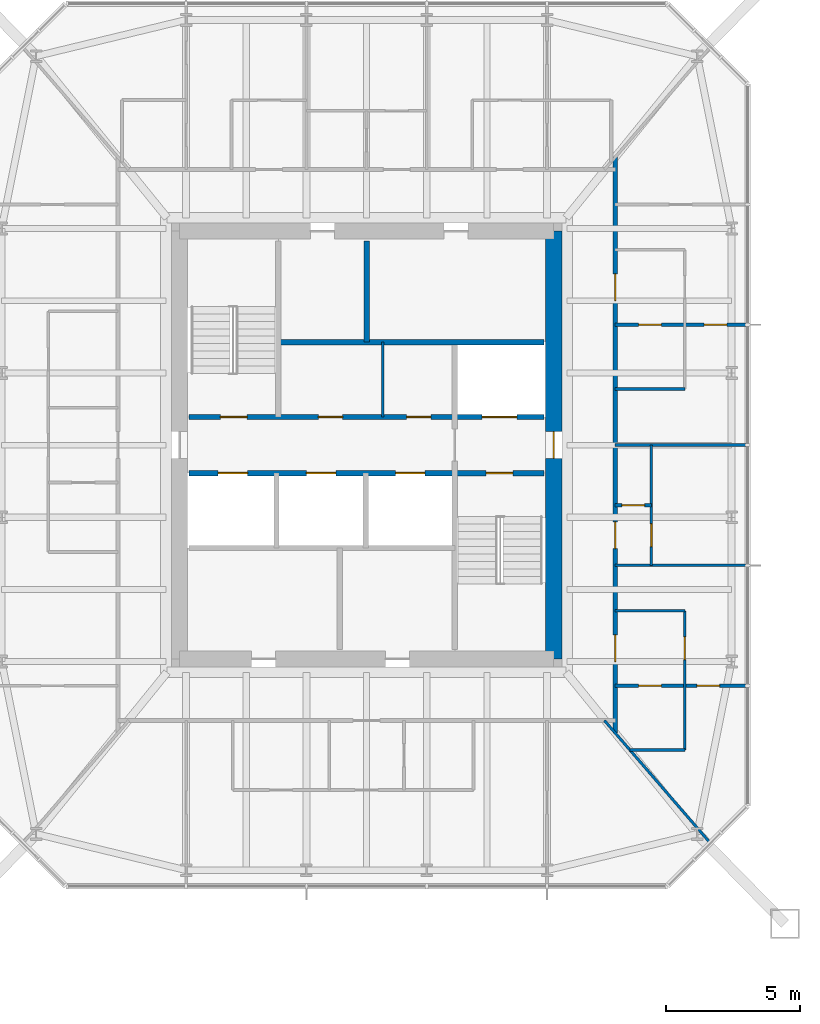
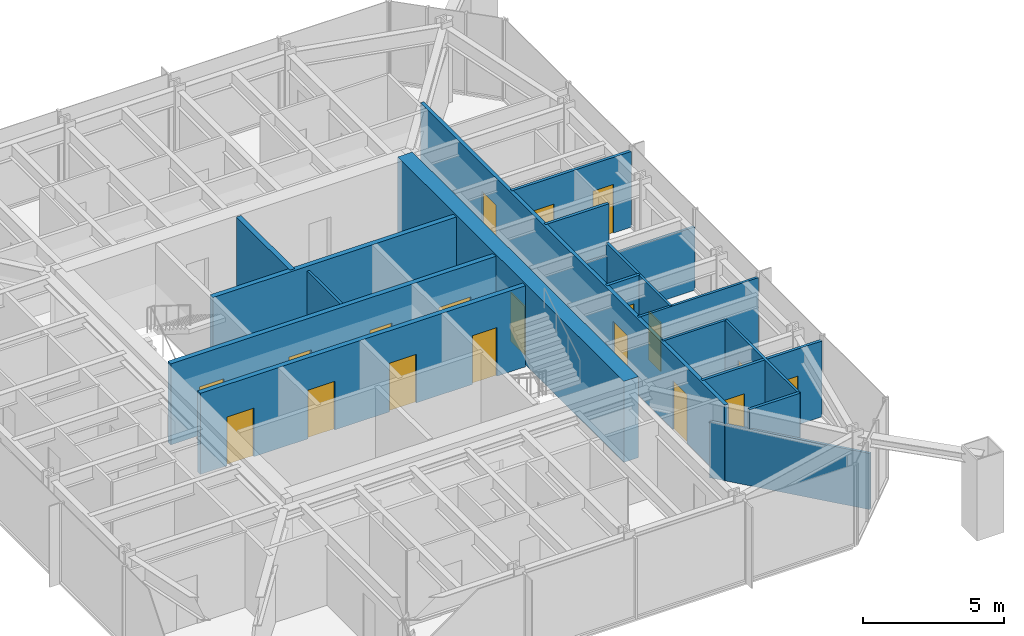
# One storey, part 20 of 27: 19 doors, 18 walls, 19 openings.
"""IFC4 building model written with IfcOpenShell, lengths in metres."""

from ifc_helpers import new_model, si_unit, direction, frame, frame_2d, origin, place, context, subcontext, project, spatial, rectangle, extrude, material, layer, layer_set, type_object, element, fill, save


model = new_model("IFC4")

# Units and contexts
model_context = context("Model", 3, precision=1e-05, world=origin(), true_north=direction((0.0, 1.0)))
body_context = subcontext(model_context, "Body", "Model", "MODEL_VIEW")
ifc_project = project(units=[si_unit("LENGTHUNIT", "METRE"), si_unit("AREAUNIT", "SQUARE_METRE"), si_unit("VOLUMEUNIT", "CUBIC_METRE"), si_unit("PLANEANGLEUNIT", "RADIAN"), si_unit("MASSUNIT", "GRAM", prefix="KILO")], contexts=[model_context])

# Site, building, storey
site_placement = place(None, origin())
site = spatial("IfcSite", under=ifc_project, at=site_placement, CompositionType="ELEMENT")
building_placement = place(site_placement, origin())
building = spatial("IfcBuilding", under=site, at=building_placement, Name="Iwan Alto Co-Living Towers", CompositionType="ELEMENT")
storey_placement = place(building_placement, frame((0.0, 0.0, 91.0)))
storey = spatial("IfcBuildingStorey", under=building, at=storey_placement, Name="L24", CompositionType="ELEMENT", Elevation=91.0)

# Wall, openings, doors
ifc_material_1 = material(Name="Gypsum board")
ifc_layer_1 = layer(ifc_material_1, 0.02490234375, Name="Board", Category="Finish")
ifc_material_2 = material(Name="Steel ASTM A1003 ST33H cold-formed studs", Category="steel")
ifc_layer_2 = layer(ifc_material_2, 0.10009765625, Name="Studs", Category="Framing")
ifc_layer_3 = layer(ifc_material_1, 0.02490234375, Name="Board", Category="Finish")
ifc_layer_set_1 = layer_set([ifc_layer_1, ifc_layer_2, ifc_layer_3], Name="CORRIDOR WALL 150")
wall_type_1 = type_object("IfcWallType", Name="CORRIDOR WALL 150", PredefinedType="PARTITIONING", material=ifc_layer_set_1)
wall_1_placement = place(storey_placement, frame((72.300048828125, -10.76806640625, 0.0), z_axis=(0.0, 0.0, 1.0), x_axis=(0.0, 1.0, 0.0)))
wall_1 = element("IfcWall", 1, at=wall_1_placement, inside=storey, type_object=wall_type_1, Name="Partition L24", PredefinedType="PARTITIONING", context=body_context, shape_type="SweptSolid", body=[
    extrude(rectangle(XDim=21.5361328125, YDim=0.14990234375, at=frame_2d((10.76806640625, 0.0))), origin(), (0.0, 0.0, 1.0), 3.27001953125),
])
opening_1_placement = place(wall_1_placement, frame((2.66796875, 0.0, 0.0)))
opening_1 = element("IfcOpeningElement", 2, at=opening_1_placement, cuts=wall_1, Name="Opening D3", PredefinedType="OPENING", context=body_context, shape_type="SweptSolid", body=[
    extrude(rectangle(XDim=1.0, YDim=2.10009765625, at=frame_2d((0.5, 1.050048828125))), frame((0.0, 0.0849609375, 0.0), z_axis=(0.0, -1.0, 0.0), x_axis=(1.0, 0.0, 0.0)), (0.0, 0.0, 1.0), 0.169921875),
])
opening_2_placement = place(wall_1_placement, frame((6.89306640625, 0.0, 0.0)))
opening_2 = element("IfcOpeningElement", 3, at=opening_2_placement, cuts=wall_1, Name="Opening D3", PredefinedType="OPENING", context=body_context, shape_type="SweptSolid", body=[
    extrude(rectangle(XDim=1.0, YDim=2.10009765625, at=frame_2d((0.5, 1.050048828125))), frame((0.0, 0.0849609375, 0.0), z_axis=(0.0, -1.0, 0.0), x_axis=(1.0, 0.0, 0.0)), (0.0, 0.0, 1.0), 0.169921875),
])
opening_3_placement = place(wall_1_placement, frame((16.16796875, 0.0, 0.0)))
opening_3 = element("IfcOpeningElement", 4, at=opening_3_placement, cuts=wall_1, Name="Opening D3", PredefinedType="OPENING", context=body_context, shape_type="SweptSolid", body=[
    extrude(rectangle(XDim=1.0, YDim=2.10009765625, at=frame_2d((0.5, 1.050048828125))), frame((0.0, 0.0849609375, 0.0), z_axis=(0.0, -1.0, 0.0), x_axis=(1.0, 0.0, 0.0)), (0.0, 0.0, 1.0), 0.169921875),
])
ifc_material_3 = material(Name="Steel frame with timber leaf", Category="steel")
door_type_1 = type_object("IfcDoorType", Name="FLAT ENTRANCE DOOR FD30S 1000X2100", OperationType="SINGLE_SWING_LEFT", PredefinedType="DOOR", material=ifc_material_3)
door_1_placement = place(opening_1_placement, frame((1.0, 0.0, 0.0), z_axis=(0.0, 0.0, 1.0), x_axis=(-1.0, 0.0, 0.0)))
door_1 = element("IfcDoor", 5, at=door_1_placement, inside=storey, type_object=door_type_1, Name="Apartment foyer door L24", OperationType="SINGLE_SWING_RIGHT", OverallHeight=2.10009765625, OverallWidth=1.0, PredefinedType="DOOR", context=body_context, shape_type="SweptSolid", body=[
    extrude(rectangle(XDim=1.0, YDim=2.10009765625, at=frame_2d((0.5, 1.050048828125))), frame((0.0, 0.02490234375, 0.0), z_axis=(0.0, -1.0, 0.0), x_axis=(1.0, 0.0, 0.0)), (0.0, 0.0, 1.0), 0.050048828125),
])
fill(opening_1, door_1)
door_2_placement = place(opening_2_placement, frame((1.0, 0.0, 0.0), z_axis=(0.0, 0.0, 1.0), x_axis=(-1.0, 0.0, 0.0)))
door_2 = element("IfcDoor", 6, at=door_2_placement, inside=storey, type_object=door_type_1, Name="Studio foyer door L24", OperationType="SINGLE_SWING_RIGHT", OverallHeight=2.10009765625, OverallWidth=1.0, PredefinedType="DOOR", context=body_context, shape_type="SweptSolid", body=[
    extrude(rectangle(XDim=1.0, YDim=2.10009765625, at=frame_2d((0.5, 1.050048828125))), frame((0.0, 0.02490234375, 0.0), z_axis=(0.0, -1.0, 0.0), x_axis=(1.0, 0.0, 0.0)), (0.0, 0.0, 1.0), 0.050048828125),
])
fill(opening_2, door_2)
door_3_placement = place(opening_3_placement, frame((1.0, 0.0, 0.0), z_axis=(0.0, 0.0, 1.0), x_axis=(-1.0, 0.0, 0.0)))
door_3 = element("IfcDoor", 7, at=door_3_placement, inside=storey, type_object=door_type_1, Name="Apartment foyer door L24", OperationType="SINGLE_SWING_RIGHT", OverallHeight=2.10009765625, OverallWidth=1.0, PredefinedType="DOOR", context=body_context, shape_type="SweptSolid", body=[
    extrude(rectangle(XDim=1.0, YDim=2.10009765625, at=frame_2d((0.5, 1.050048828125))), frame((0.0, 0.02490234375, 0.0), z_axis=(0.0, -1.0, 0.0), x_axis=(1.0, 0.0, 0.0)), (0.0, 0.0, 1.0), 0.050048828125),
])
fill(opening_3, door_3)

# Walls
ifc_layer_4 = layer(ifc_material_1, 0.012451171875, Name="Board", Category="Finish")
ifc_layer_5 = layer(ifc_material_2, 0.074951171875, Name="Studs", Category="Framing")
ifc_layer_6 = layer(ifc_material_1, 0.012451171875, Name="Board", Category="Finish")
ifc_layer_set_2 = layer_set([ifc_layer_4, ifc_layer_5, ifc_layer_6], Name="PARTITION 100")
wall_type_2 = type_object("IfcWallType", Name="PARTITION 100", PredefinedType="PARTITIONING", material=ifc_layer_set_2)
wall_2_placement = place(storey_placement, frame((72.300048828125, -6.199951171875, 0.0), z_axis=(0.0, 0.0, 1.0), x_axis=(1.0, 0.0, 0.0)))
element("IfcWall", 8, at=wall_2_placement, inside=storey, type_object=wall_type_2, Name="Partition L24", PredefinedType="PARTITIONING", context=body_context, shape_type="SweptSolid", body=[
    extrude(rectangle(XDim=2.599853515625, YDim=0.10009765625, at=frame_2d((1.2998046875, 0.0))), origin(), (0.0, 0.0, 1.0), 3.27001953125),
])
wall_3_placement = place(storey_placement, frame((72.300048828125, -4.5, 0.0), z_axis=(0.0, 0.0, 1.0), x_axis=(1.0, 0.0, 0.0)))
element("IfcWall", 9, at=wall_3_placement, inside=storey, type_object=wall_type_2, Name="Partition L24", PredefinedType="PARTITIONING", context=body_context, shape_type="SweptSolid", body=[
    extrude(rectangle(XDim=4.889892578125, YDim=0.10009765625, at=frame_2d((2.44482421875, 0.0))), origin(), (0.0, 0.0, 1.0), 3.27001953125),
])
wall_4_placement = place(storey_placement, frame((72.300048828125, 0.0, 0.0), z_axis=(0.0, 0.0, 1.0), x_axis=(1.0, 0.0, 0.0)))
element("IfcWall", 10, at=wall_4_placement, inside=storey, type_object=wall_type_2, Name="Partition L24", PredefinedType="PARTITIONING", context=body_context, shape_type="SweptSolid", body=[
    extrude(rectangle(XDim=4.889892578125, YDim=0.10009765625, at=frame_2d((2.44482421875, 0.0))), origin(), (0.0, 0.0, 1.0), 2.736572265625),
])

# Wall, opening, door
wall_5_placement = place(storey_placement, frame((74.89990234375, -11.39990234375, 0.0), z_axis=(0.0, 0.0, 1.0), x_axis=(0.0, 1.0, 0.0)))
wall_5 = element("IfcWall", 11, at=wall_5_placement, inside=storey, type_object=wall_type_2, Name="Partition L24", PredefinedType="PARTITIONING", context=body_context, shape_type="SweptSolid", body=[
    extrude(rectangle(XDim=5.199951171875, YDim=0.10009765625, at=frame_2d((2.60009765625, 0.0))), origin(), (0.0, 0.0, 1.0), 3.27001953125),
])
opening_4_placement = place(wall_5_placement, frame((3.375, 0.0, 0.0)))
opening_4 = element("IfcOpeningElement", 12, at=opening_4_placement, cuts=wall_5, Name="Opening D2", PredefinedType="OPENING", context=body_context, shape_type="SweptSolid", body=[
    extrude(rectangle(XDim=0.85009765625, YDim=2.10009765625, at=frame_2d((0.425048828125, 1.050048828125))), frame((0.0, 0.06005859375, 0.0), z_axis=(0.0, -1.0, 0.0), x_axis=(1.0, 0.0, 0.0)), (0.0, 0.0, 1.0), 0.1201171875),
])
ifc_material_4 = material(Name="Timber leaf in steel frame", Category="steel")
door_type_2 = type_object("IfcDoorType", Name="ROOM DOOR 850X2100", OperationType="SINGLE_SWING_LEFT", PredefinedType="DOOR", material=ifc_material_4)
door_4_placement = place(opening_4_placement, frame((0.85009765625, 0.0, 0.0), z_axis=(0.0, 0.0, 1.0), x_axis=(-1.0, 0.0, 0.0)))
door_4 = element("IfcDoor", 13, at=door_4_placement, inside=storey, type_object=door_type_2, Name="Apartment foyer door L24", OperationType="SINGLE_SWING_RIGHT", OverallHeight=2.10009765625, OverallWidth=0.85009765625, PredefinedType="DOOR", context=body_context, shape_type="SweptSolid", body=[
    extrude(rectangle(XDim=0.85009765625, YDim=2.10009765625, at=frame_2d((0.425048828125, 1.050048828125))), frame((0.0, 0.02490234375, 0.0), z_axis=(0.0, -1.0, 0.0), x_axis=(1.0, 0.0, 0.0)), (0.0, 0.0, 1.0), 0.050048828125),
])
fill(opening_4, door_4)

wall_6_placement = place(storey_placement, frame((73.64990234375, -4.5, 0.0), z_axis=(0.0, 0.0, 1.0), x_axis=(0.0, 1.0, 0.0)))
wall_6 = element("IfcWall", 14, at=wall_6_placement, inside=storey, type_object=wall_type_2, Name="Partition L24", PredefinedType="PARTITIONING", context=body_context, shape_type="SweptSolid", body=[
    extrude(rectangle(XDim=4.5, YDim=0.10009765625, at=frame_2d((2.25, 0.0))), origin(), (0.0, 0.0, 1.0), 3.27001953125),
])
opening_5_placement = place(wall_6_placement, frame((0.699951171875, 0.0, 0.0)))
opening_5 = element("IfcOpeningElement", 15, at=opening_5_placement, cuts=wall_6, Name="Opening D2", PredefinedType="OPENING", context=body_context, shape_type="SweptSolid", body=[
    extrude(rectangle(XDim=0.85009765625, YDim=2.10009765625, at=frame_2d((0.425048828125, 1.050048828125))), frame((0.0, 0.06005859375, 0.0), z_axis=(0.0, -1.0, 0.0), x_axis=(1.0, 0.0, 0.0)), (0.0, 0.0, 1.0), 0.1201171875),
])
door_5_placement = place(opening_5_placement, frame((0.85009765625, 0.0, 0.0), z_axis=(0.0, 0.0, 1.0), x_axis=(-1.0, 0.0, 0.0)))
door_5 = element("IfcDoor", 16, at=door_5_placement, inside=storey, type_object=door_type_2, Name="Studio and kitchenette door L24", OperationType="SINGLE_SWING_RIGHT", OverallHeight=2.10009765625, OverallWidth=0.85009765625, PredefinedType="DOOR", context=body_context, shape_type="SweptSolid", body=[
    extrude(rectangle(XDim=0.85009765625, YDim=2.10009765625, at=frame_2d((0.425048828125, 1.050048828125))), frame((0.0, 0.02490234375, 0.0), z_axis=(0.0, -1.0, 0.0), x_axis=(1.0, 0.0, 0.0)), (0.0, 0.0, 1.0), 0.050048828125),
])
fill(opening_5, door_5)

# Walls
wall_7_placement = place(storey_placement, frame((63.60009765625, 1.050048828125, 0.0), z_axis=(0.0, 0.0, 1.0), x_axis=(0.0, 1.0, 0.0)))
element("IfcWall", 17, at=wall_7_placement, inside=storey, type_object=wall_type_2, Name="Partition L24", PredefinedType="PARTITIONING", context=body_context, shape_type="SweptSolid", body=[
    extrude(rectangle(XDim=2.800048828125, YDim=0.10009765625, at=frame_2d((1.39990234375, 0.0))), origin(), (0.0, 0.0, 1.0), 3.300048828125),
])
wall_8_placement = place(storey_placement, frame((75.821044921875, -14.843994140625, 0.0), z_axis=(0.0, 0.0, 1.0), x_axis=(-0.65378286253, 0.756682211144, 0.0)))
element("IfcWall", 18, at=wall_8_placement, inside=storey, type_object=wall_type_2, Name="Partition L24", PredefinedType="PARTITIONING", context=body_context, shape_type="SweptSolid", body=[
    extrude(rectangle(XDim=6.005126953125, YDim=0.10009765625, at=frame_2d((3.00244140625, 0.0))), origin(), (0.0, 0.0, 1.0), 2.42919921875),
])

# Wall, openings, doors
ifc_material_5 = material(Name="Concrete f'c 70 MPa", Category="concrete")
ifc_layer_7 = layer(ifc_material_5, 0.199951171875)
ifc_layer_set_3 = layer_set([ifc_layer_7], Name="SHAFT WALL 200")
wall_type_3 = type_object("IfcWallType", Name="SHAFT WALL 200", PredefinedType="SOLIDWALL", material=ifc_layer_set_3)
wall_9_placement = place(storey_placement, frame((56.360107421875, -1.050048828125, 0.0), z_axis=(0.0, 0.0, 1.0), x_axis=(1.0, 0.0, 0.0)))
wall_9 = element("IfcWall", 19, at=wall_9_placement, inside=storey, type_object=wall_type_3, Name="Shaft wall L24", PredefinedType="SOLIDWALL", context=body_context, shape_type="SweptSolid", body=[
    extrude(rectangle(XDim=13.27978515625, YDim=0.199951171875, at=frame_2d((6.639892578125, 0.0))), origin(), (0.0, 0.0, 1.0), 3.5),
])
opening_6_placement = place(wall_9_placement, frame((11.110107421875, 0.0, 0.0)))
opening_6 = element("IfcOpeningElement", 20, at=opening_6_placement, cuts=wall_9, Name="Opening D5", PredefinedType="OPENING", context=body_context, shape_type="SweptSolid", body=[
    extrude(rectangle(XDim=1.0, YDim=2.10009765625, at=frame_2d((0.5, 1.050048828125))), frame((0.0, 0.10986328125, 0.0), z_axis=(0.0, -1.0, 0.0), x_axis=(1.0, 0.0, 0.0)), (0.0, 0.0, 1.0), 0.219970703125),
])
opening_7_placement = place(wall_9_placement, frame((1.0869140625, 0.0, 0.0)))
opening_7 = element("IfcOpeningElement", 21, at=opening_7_placement, cuts=wall_9, Name="Opening LD", PredefinedType="OPENING", context=body_context, shape_type="SweptSolid", body=[
    extrude(rectangle(XDim=1.10009765625, YDim=2.10009765625, at=frame_2d((0.550048828125, 1.050048828125))), frame((0.0, 0.10986328125, 0.0), z_axis=(0.0, -1.0, 0.0), x_axis=(1.0, 0.0, 0.0)), (0.0, 0.0, 1.0), 0.219970703125),
])
opening_8_placement = place(wall_9_placement, frame((4.389892578125, 0.0, 0.0)))
opening_8 = element("IfcOpeningElement", 22, at=opening_8_placement, cuts=wall_9, Name="Opening LD", PredefinedType="OPENING", context=body_context, shape_type="SweptSolid", body=[
    extrude(rectangle(XDim=1.10009765625, YDim=2.10009765625, at=frame_2d((0.550048828125, 1.050048828125))), frame((0.0, 0.10986328125, 0.0), z_axis=(0.0, -1.0, 0.0), x_axis=(1.0, 0.0, 0.0)), (0.0, 0.0, 1.0), 0.219970703125),
])
opening_9_placement = place(wall_9_placement, frame((7.72412109375, 0.0, 0.0)))
opening_9 = element("IfcOpeningElement", 23, at=opening_9_placement, cuts=wall_9, Name="Opening LD", PredefinedType="OPENING", context=body_context, shape_type="SweptSolid", body=[
    extrude(rectangle(XDim=1.10009765625, YDim=2.10009765625, at=frame_2d((0.550048828125, 1.050048828125))), frame((0.0, 0.10986328125, 0.0), z_axis=(0.0, -1.0, 0.0), x_axis=(1.0, 0.0, 0.0)), (0.0, 0.0, 1.0), 0.219970703125),
])
ifc_material_6 = material(Name="Steel frame with timber leaf", Category="steel")
door_type_3 = type_object("IfcDoorType", Name="LIFT LANDING DOOR 1100X2100", OperationType="DOUBLE_DOOR_SLIDING", PredefinedType="DOOR", material=ifc_material_6)
door_6_placement = place(opening_7_placement, origin())
door_6 = element("IfcDoor", 24, at=door_6_placement, inside=storey, type_object=door_type_3, Name="Lift P5-1 landing door L24", OperationType="DOUBLE_DOOR_SLIDING", OverallHeight=2.10009765625, OverallWidth=1.10009765625, PredefinedType="DOOR", context=body_context, shape_type="SweptSolid", body=[
    extrude(rectangle(XDim=1.10009765625, YDim=2.10009765625, at=frame_2d((0.550048828125, 1.050048828125))), frame((0.0, 0.02490234375, 0.0), z_axis=(0.0, -1.0, 0.0), x_axis=(1.0, 0.0, 0.0)), (0.0, 0.0, 1.0), 0.050048828125),
])
fill(opening_7, door_6)
door_7_placement = place(opening_8_placement, origin())
door_7 = element("IfcDoor", 25, at=door_7_placement, inside=storey, type_object=door_type_3, Name="Lift P5-2 landing door L24", OperationType="DOUBLE_DOOR_SLIDING", OverallHeight=2.10009765625, OverallWidth=1.10009765625, PredefinedType="DOOR", context=body_context, shape_type="SweptSolid", body=[
    extrude(rectangle(XDim=1.10009765625, YDim=2.10009765625, at=frame_2d((0.550048828125, 1.050048828125))), frame((0.0, 0.02490234375, 0.0), z_axis=(0.0, -1.0, 0.0), x_axis=(1.0, 0.0, 0.0)), (0.0, 0.0, 1.0), 0.050048828125),
])
fill(opening_8, door_7)
door_8_placement = place(opening_9_placement, origin())
door_8 = element("IfcDoor", 26, at=door_8_placement, inside=storey, type_object=door_type_3, Name="Lift P6-3 landing door L24", OperationType="DOUBLE_DOOR_SLIDING", OverallHeight=2.10009765625, OverallWidth=1.10009765625, PredefinedType="DOOR", context=body_context, shape_type="SweptSolid", body=[
    extrude(rectangle(XDim=1.10009765625, YDim=2.10009765625, at=frame_2d((0.550048828125, 1.050048828125))), frame((0.0, 0.02490234375, 0.0), z_axis=(0.0, -1.0, 0.0), x_axis=(1.0, 0.0, 0.0)), (0.0, 0.0, 1.0), 0.050048828125),
])
fill(opening_9, door_8)
ifc_material_7 = material(Name="Steel frame with timber leaf", Category="steel")
door_type_4 = type_object("IfcDoorType", Name="STAIR DOOR FD120S 1000X2100", OperationType="SINGLE_SWING_LEFT", PredefinedType="DOOR", material=ifc_material_7)
door_9_placement = place(opening_6_placement, frame((1.0, 0.0, 0.0), z_axis=(0.0, 0.0, 1.0), x_axis=(-1.0, 0.0, 0.0)))
door_9 = element("IfcDoor", 27, at=door_9_placement, inside=storey, type_object=door_type_4, Name="Stair S2 door L24", OperationType="SINGLE_SWING_RIGHT", OverallHeight=2.10009765625, OverallWidth=1.0, PredefinedType="DOOR", context=body_context, shape_type="SweptSolid", body=[
    extrude(rectangle(XDim=1.0, YDim=2.10009765625, at=frame_2d((0.5, 1.050048828125))), frame((0.0, 0.02490234375, 0.0), z_axis=(0.0, -1.0, 0.0), x_axis=(1.0, 0.0, 0.0)), (0.0, 0.0, 1.0), 0.050048828125),
])
fill(opening_6, door_9)

wall_10_placement = place(storey_placement, frame((56.360107421875, 1.050048828125, 0.0), z_axis=(0.0, 0.0, 1.0), x_axis=(1.0, 0.0, 0.0)))
wall_10 = element("IfcWall", 28, at=wall_10_placement, inside=storey, type_object=wall_type_3, Name="Shaft wall L24", PredefinedType="SOLIDWALL", context=body_context, shape_type="SweptSolid", body=[
    extrude(rectangle(XDim=13.27978515625, YDim=0.199951171875, at=frame_2d((6.639892578125, 0.0))), origin(), (0.0, 0.0, 1.0), 3.5),
])
opening_10_placement = place(wall_10_placement, frame((1.169921875, 0.0, 0.0)))
opening_10 = element("IfcOpeningElement", 29, at=opening_10_placement, cuts=wall_10, Name="Opening D5", PredefinedType="OPENING", context=body_context, shape_type="SweptSolid", body=[
    extrude(rectangle(XDim=1.0, YDim=2.10009765625, at=frame_2d((0.5, 1.050048828125))), frame((0.0, 0.10986328125, 0.0), z_axis=(0.0, -1.0, 0.0), x_axis=(1.0, 0.0, 0.0)), (0.0, 0.0, 1.0), 0.219970703125),
])
opening_11_placement = place(wall_10_placement, frame((4.840087890625, 0.0, 0.0)))
opening_11 = element("IfcOpeningElement", 30, at=opening_11_placement, cuts=wall_10, Name="Opening D8", PredefinedType="OPENING", context=body_context, shape_type="SweptSolid", body=[
    extrude(rectangle(XDim=0.89990234375, YDim=2.10009765625, at=frame_2d((0.449951171875, 1.050048828125))), frame((0.0, 0.10986328125, 0.0), z_axis=(0.0, -1.0, 0.0), x_axis=(1.0, 0.0, 0.0)), (0.0, 0.0, 1.0), 0.219970703125),
])
opening_12_placement = place(wall_10_placement, frame((8.139892578125, 0.0, 0.0)))
opening_12 = element("IfcOpeningElement", 31, at=opening_12_placement, cuts=wall_10, Name="Opening D15", PredefinedType="OPENING", context=body_context, shape_type="SweptSolid", body=[
    extrude(rectangle(XDim=0.89990234375, YDim=2.10009765625, at=frame_2d((0.449951171875, 1.050048828125))), frame((0.0, 0.10986328125, 0.0), z_axis=(0.0, -1.0, 0.0), x_axis=(1.0, 0.0, 0.0)), (0.0, 0.0, 1.0), 0.219970703125),
])
opening_13_placement = place(wall_10_placement, frame((10.9599609375, 0.0, 0.0)))
opening_13 = element("IfcOpeningElement", 32, at=opening_13_placement, cuts=wall_10, Name="Opening LD2", PredefinedType="OPENING", context=body_context, shape_type="SweptSolid", body=[
    extrude(rectangle(XDim=1.300048828125, YDim=2.10009765625, at=frame_2d((0.64990234375, 1.050048828125))), frame((0.0, 0.10986328125, 0.0), z_axis=(0.0, -1.0, 0.0), x_axis=(1.0, 0.0, 0.0)), (0.0, 0.0, 1.0), 0.219970703125),
])
ifc_material_8 = material(Name="Steel frame with timber leaf", Category="steel")
door_type_5 = type_object("IfcDoorType", Name="CORE ROOM DOOR FD60S 900X2100", OperationType="SINGLE_SWING_LEFT", PredefinedType="DOOR", material=ifc_material_8)
door_10_placement = place(opening_12_placement, origin())
door_10 = element("IfcDoor", 33, at=door_10_placement, inside=storey, type_object=door_type_5, Name="Bulk store door L24", OperationType="SINGLE_SWING_LEFT", OverallHeight=2.10009765625, OverallWidth=0.89990234375, PredefinedType="DOOR", context=body_context, shape_type="SweptSolid", body=[
    extrude(rectangle(XDim=0.89990234375, YDim=2.10009765625, at=frame_2d((0.449951171875, 1.050048828125))), frame((0.0, 0.02490234375, 0.0), z_axis=(0.0, -1.0, 0.0), x_axis=(1.0, 0.0, 0.0)), (0.0, 0.0, 1.0), 0.050048828125),
])
fill(opening_12, door_10)
ifc_material_9 = material(Name="Steel frame with timber leaf", Category="steel")
door_type_6 = type_object("IfcDoorType", Name="LIFT LANDING DOOR 1300X2100", OperationType="SLIDING_TO_LEFT", PredefinedType="DOOR", material=ifc_material_9)
door_11_placement = place(opening_13_placement, origin())
door_11 = element("IfcDoor", 34, at=door_11_placement, inside=storey, type_object=door_type_6, Name="Lift FL2 landing door L24", OperationType="SLIDING_TO_LEFT", OverallHeight=2.10009765625, OverallWidth=1.300048828125, PredefinedType="DOOR", context=body_context, shape_type="SweptSolid", body=[
    extrude(rectangle(XDim=1.300048828125, YDim=2.10009765625, at=frame_2d((0.64990234375, 1.050048828125))), frame((0.0, 0.02490234375, 0.0), z_axis=(0.0, -1.0, 0.0), x_axis=(1.0, 0.0, 0.0)), (0.0, 0.0, 1.0), 0.050048828125),
])
fill(opening_13, door_11)
ifc_material_10 = material(Name="Steel frame with timber leaf", Category="steel")
door_type_7 = type_object("IfcDoorType", Name="RISER DOOR FD120 900X2100", OperationType="SINGLE_SWING_LEFT", PredefinedType="DOOR", material=ifc_material_10)
door_12_placement = place(opening_11_placement, origin())
door_12 = element("IfcDoor", 35, at=door_12_placement, inside=storey, type_object=door_type_7, Name="Riser room door L24", OperationType="SINGLE_SWING_LEFT", OverallHeight=2.10009765625, OverallWidth=0.89990234375, PredefinedType="DOOR", context=body_context, shape_type="SweptSolid", body=[
    extrude(rectangle(XDim=0.89990234375, YDim=2.10009765625, at=frame_2d((0.449951171875, 1.050048828125))), frame((0.0, 0.02490234375, 0.0), z_axis=(0.0, -1.0, 0.0), x_axis=(1.0, 0.0, 0.0)), (0.0, 0.0, 1.0), 0.050048828125),
])
fill(opening_11, door_12)
door_13_placement = place(opening_10_placement, origin())
door_13 = element("IfcDoor", 36, at=door_13_placement, inside=storey, type_object=door_type_4, Name="Stair S1 door L24", OperationType="SINGLE_SWING_RIGHT", OverallHeight=2.10009765625, OverallWidth=1.0, PredefinedType="DOOR", context=body_context, shape_type="SweptSolid", body=[
    extrude(rectangle(XDim=1.0, YDim=2.10009765625, at=frame_2d((0.5, 1.050048828125))), frame((0.0, 0.02490234375, 0.0), z_axis=(0.0, -1.0, 0.0), x_axis=(1.0, 0.0, 0.0)), (0.0, 0.0, 1.0), 0.050048828125),
])
fill(opening_10, door_13)

# Walls
wall_11_placement = place(storey_placement, frame((59.699951171875, 3.85009765625, 0.0), z_axis=(0.0, 0.0, 1.0), x_axis=(1.0, 0.0, 0.0)))
element("IfcWall", 37, at=wall_11_placement, inside=storey, type_object=wall_type_3, Name="Shaft wall L24", PredefinedType="SOLIDWALL", context=body_context, shape_type="SweptSolid", body=[
    extrude(rectangle(XDim=9.93994140625, YDim=0.199951171875, at=frame_2d((4.969970703125, 0.0))), origin(), (0.0, 0.0, 1.0), 3.5),
])
wall_12_placement = place(storey_placement, frame((63.0, 3.85009765625, 0.0), z_axis=(0.0, 0.0, 1.0), x_axis=(0.0, 1.0, 0.0)))
element("IfcWall", 38, at=wall_12_placement, inside=storey, type_object=wall_type_3, Name="Shaft wall L24", PredefinedType="SOLIDWALL", context=body_context, shape_type="SweptSolid", body=[
    extrude(rectangle(XDim=3.789794921875, YDim=0.199951171875, at=frame_2d((1.89501953125, 0.0))), origin(), (0.0, 0.0, 1.0), 3.5),
])

# Wall, opening, door
ifc_material_11 = material(Name="Concrete f'c 70 MPa", Category="concrete")
ifc_layer_8 = layer(ifc_material_11, 0.60009765625)
ifc_layer_set_4 = layer_set([ifc_layer_8], Name="T2 CORE WALL 600")
wall_type_4 = type_object("IfcWallType", Name="T2 CORE WALL 600", PredefinedType="SHEAR", material=ifc_layer_set_4)
wall_13_placement = place(storey_placement, frame((70.0, -8.0, 0.0), z_axis=(0.0, 0.0, 1.0), x_axis=(0.0, 1.0, 0.0)))
wall_13 = element("IfcWall", 39, at=wall_13_placement, inside=storey, type_object=wall_type_4, Name="T2 core wall E L24", PredefinedType="SHEAR", context=body_context, shape_type="SweptSolid", body=[
    extrude(rectangle(XDim=16.0, YDim=0.60009765625, at=frame_2d((8.0, 0.0))), origin(), (0.0, 0.0, 1.0), 3.5),
])
opening_14_placement = place(wall_13_placement, frame((7.5, 0.0, 0.0)))
opening_14 = element("IfcOpeningElement", 40, at=opening_14_placement, cuts=wall_13, Name="Opening D7", PredefinedType="OPENING", context=body_context, shape_type="SweptSolid", body=[
    extrude(rectangle(XDim=1.0, YDim=2.10009765625, at=frame_2d((0.5, 1.050048828125))), frame((0.0, 0.31005859375, 0.0), z_axis=(0.0, -1.0, 0.0), x_axis=(1.0, 0.0, 0.0)), (0.0, 0.0, 1.0), 0.6201171875),
])
ifc_material_12 = material(Name="Steel frame with timber leaf", Category="steel")
door_type_8 = type_object("IfcDoorType", Name="CORE DOOR FD120S 1000X2100", OperationType="SINGLE_SWING_LEFT", PredefinedType="DOOR", material=ifc_material_12)
door_14_placement = place(opening_14_placement, origin())
door_14 = element("IfcDoor", 41, at=door_14_placement, inside=storey, type_object=door_type_8, Name="Firefighting lobby core door L24", OperationType="SINGLE_SWING_LEFT", OverallHeight=2.10009765625, OverallWidth=1.0, PredefinedType="DOOR", context=body_context, shape_type="SweptSolid", body=[
    extrude(rectangle(XDim=1.0, YDim=2.10009765625, at=frame_2d((0.5, 1.050048828125))), frame((0.0, 0.02490234375, 0.0), z_axis=(0.0, -1.0, 0.0), x_axis=(1.0, 0.0, 0.0)), (0.0, 0.0, 1.0), 0.050048828125),
])
fill(opening_14, door_14)

# Wall
ifc_material_13 = material(Name="Cement board")
ifc_layer_9 = layer(ifc_material_13, 0.012451171875, Name="Board", Category="Finish")
ifc_layer_10 = layer(ifc_material_2, 0.094970703125, Name="Studs", Category="Framing")
ifc_layer_11 = layer(ifc_material_13, 0.012451171875, Name="Board", Category="Finish")
ifc_layer_set_5 = layer_set([ifc_layer_9, ifc_layer_10, ifc_layer_11], Name="WET AREA PARTITION 120")
wall_type_5 = type_object("IfcWallType", Name="WET AREA PARTITION 120", PredefinedType="PARTITIONING", material=ifc_layer_set_5)
wall_14_placement = place(storey_placement, frame((72.844970703125, -11.39990234375, 0.0), z_axis=(0.0, 0.0, 1.0), x_axis=(1.0, 0.0, 0.0)))
element("IfcWall", 42, at=wall_14_placement, inside=storey, type_object=wall_type_5, Name="Partition L24", PredefinedType="PARTITIONING", context=body_context, shape_type="SweptSolid", body=[
    extrude(rectangle(XDim=2.054931640625, YDim=0.1201171875, at=frame_2d((1.02734375, 0.0))), origin(), (0.0, 0.0, 1.0), 3.27001953125),
])

# Wall, openings, doors
wall_15_placement = place(storey_placement, frame((72.300048828125, -9.0, 0.0), z_axis=(0.0, 0.0, 1.0), x_axis=(1.0, 0.0, 0.0)))
wall_15 = element("IfcWall", 43, at=wall_15_placement, inside=storey, type_object=wall_type_5, Name="Partition L24", PredefinedType="PARTITIONING", context=body_context, shape_type="SweptSolid", body=[
    extrude(rectangle(XDim=4.889892578125, YDim=0.1201171875, at=frame_2d((2.44482421875, 0.0))), origin(), (0.0, 0.0, 1.0), 3.27001953125),
])
opening_15_placement = place(wall_15_placement, frame((0.875, 0.0, 0.0)))
opening_15 = element("IfcOpeningElement", 44, at=opening_15_placement, cuts=wall_15, Name="Opening D2", PredefinedType="OPENING", context=body_context, shape_type="SweptSolid", body=[
    extrude(rectangle(XDim=0.85009765625, YDim=2.10009765625, at=frame_2d((0.425048828125, 1.050048828125))), frame((0.0, 0.070068359375, 0.0), z_axis=(0.0, -1.0, 0.0), x_axis=(1.0, 0.0, 0.0)), (0.0, 0.0, 1.0), 0.14013671875),
])
opening_16_placement = place(wall_15_placement, frame((3.050048828125, 0.0, 0.0)))
opening_16 = element("IfcOpeningElement", 45, at=opening_16_placement, cuts=wall_15, Name="Opening D2", PredefinedType="OPENING", context=body_context, shape_type="SweptSolid", body=[
    extrude(rectangle(XDim=0.85009765625, YDim=2.10009765625, at=frame_2d((0.425048828125, 1.050048828125))), frame((0.0, 0.070068359375, 0.0), z_axis=(0.0, -1.0, 0.0), x_axis=(1.0, 0.0, 0.0)), (0.0, 0.0, 1.0), 0.14013671875),
])
door_15_placement = place(opening_15_placement, frame((0.85009765625, 0.0, 0.0), z_axis=(0.0, 0.0, 1.0), x_axis=(-1.0, 0.0, 0.0)))
door_15 = element("IfcDoor", 46, at=door_15_placement, inside=storey, type_object=door_type_2, Name="Bathroom door L24", OperationType="SINGLE_SWING_RIGHT", OverallHeight=2.10009765625, OverallWidth=0.85009765625, PredefinedType="DOOR", context=body_context, shape_type="SweptSolid", body=[
    extrude(rectangle(XDim=0.85009765625, YDim=2.10009765625, at=frame_2d((0.425048828125, 1.050048828125))), frame((0.0, 0.02490234375, 0.0), z_axis=(0.0, -1.0, 0.0), x_axis=(1.0, 0.0, 0.0)), (0.0, 0.0, 1.0), 0.050048828125),
])
fill(opening_15, door_15)
door_16_placement = place(opening_16_placement, frame((0.85009765625, 0.0, 0.0), z_axis=(0.0, 0.0, 1.0), x_axis=(-1.0, 0.0, 0.0)))
door_16 = element("IfcDoor", 47, at=door_16_placement, inside=storey, type_object=door_type_2, Name="Bedroom door L24", OperationType="SINGLE_SWING_RIGHT", OverallHeight=2.10009765625, OverallWidth=0.85009765625, PredefinedType="DOOR", context=body_context, shape_type="SweptSolid", body=[
    extrude(rectangle(XDim=0.85009765625, YDim=2.10009765625, at=frame_2d((0.425048828125, 1.050048828125))), frame((0.0, 0.02490234375, 0.0), z_axis=(0.0, -1.0, 0.0), x_axis=(1.0, 0.0, 0.0)), (0.0, 0.0, 1.0), 0.050048828125),
])
fill(opening_16, door_16)

# Wall, opening, door
wall_16_placement = place(storey_placement, frame((72.300048828125, -2.25, 0.0), z_axis=(0.0, 0.0, 1.0), x_axis=(1.0, 0.0, 0.0)))
wall_16 = element("IfcWall", 48, at=wall_16_placement, inside=storey, type_object=wall_type_5, Name="Partition L24", PredefinedType="PARTITIONING", context=body_context, shape_type="SweptSolid", body=[
    extrude(rectangle(XDim=1.349853515625, YDim=0.1201171875, at=frame_2d((0.6748046875, 0.0))), origin(), (0.0, 0.0, 1.0), 3.27001953125),
])
opening_17_placement = place(wall_16_placement, frame((0.25, 0.0, 0.0)))
opening_17 = element("IfcOpeningElement", 49, at=opening_17_placement, cuts=wall_16, Name="Opening D2", PredefinedType="OPENING", context=body_context, shape_type="SweptSolid", body=[
    extrude(rectangle(XDim=0.85009765625, YDim=2.10009765625, at=frame_2d((0.425048828125, 1.050048828125))), frame((0.0, 0.070068359375, 0.0), z_axis=(0.0, -1.0, 0.0), x_axis=(1.0, 0.0, 0.0)), (0.0, 0.0, 1.0), 0.14013671875),
])
door_17_placement = place(opening_17_placement, origin())
door_17 = element("IfcDoor", 50, at=door_17_placement, inside=storey, type_object=door_type_2, Name="Shower room door L24", OperationType="SINGLE_SWING_LEFT", OverallHeight=2.10009765625, OverallWidth=0.85009765625, PredefinedType="DOOR", context=body_context, shape_type="SweptSolid", body=[
    extrude(rectangle(XDim=0.85009765625, YDim=2.10009765625, at=frame_2d((0.425048828125, 1.050048828125))), frame((0.0, 0.02490234375, 0.0), z_axis=(0.0, -1.0, 0.0), x_axis=(1.0, 0.0, 0.0)), (0.0, 0.0, 1.0), 0.050048828125),
])
fill(opening_17, door_17)

# Wall
wall_17_placement = place(storey_placement, frame((72.300048828125, 2.10009765625, 0.0), z_axis=(0.0, 0.0, 1.0), x_axis=(1.0, 0.0, 0.0)))
element("IfcWall", 51, at=wall_17_placement, inside=storey, type_object=wall_type_5, Name="Partition L24", PredefinedType="PARTITIONING", context=body_context, shape_type="SweptSolid", body=[
    extrude(rectangle(XDim=2.599853515625, YDim=0.1201171875, at=frame_2d((1.2998046875, 0.0))), origin(), (0.0, 0.0, 1.0), 3.27001953125),
])

# Wall, openings, doors
wall_18_placement = place(storey_placement, frame((72.300048828125, 4.5, 0.0), z_axis=(0.0, 0.0, 1.0), x_axis=(1.0, 0.0, 0.0)))
wall_18 = element("IfcWall", 52, at=wall_18_placement, inside=storey, type_object=wall_type_5, Name="Partition L24", PredefinedType="PARTITIONING", context=body_context, shape_type="SweptSolid", body=[
    extrude(rectangle(XDim=4.889892578125, YDim=0.1201171875, at=frame_2d((2.44482421875, 0.0))), origin(), (0.0, 0.0, 1.0), 3.27001953125),
])
opening_18_placement = place(wall_18_placement, frame((0.875, 0.0, 0.0)))
opening_18 = element("IfcOpeningElement", 53, at=opening_18_placement, cuts=wall_18, Name="Opening D2", PredefinedType="OPENING", context=body_context, shape_type="SweptSolid", body=[
    extrude(rectangle(XDim=0.85009765625, YDim=2.10009765625, at=frame_2d((0.425048828125, 1.050048828125))), frame((0.0, 0.070068359375, 0.0), z_axis=(0.0, -1.0, 0.0), x_axis=(1.0, 0.0, 0.0)), (0.0, 0.0, 1.0), 0.14013671875),
])
opening_19_placement = place(wall_18_placement, frame((3.320068359375, 0.0, 0.0)))
opening_19 = element("IfcOpeningElement", 54, at=opening_19_placement, cuts=wall_18, Name="Opening D2", PredefinedType="OPENING", context=body_context, shape_type="SweptSolid", body=[
    extrude(rectangle(XDim=0.85009765625, YDim=2.10009765625, at=frame_2d((0.425048828125, 1.050048828125))), frame((0.0, 0.070068359375, 0.0), z_axis=(0.0, -1.0, 0.0), x_axis=(1.0, 0.0, 0.0)), (0.0, 0.0, 1.0), 0.14013671875),
])
door_18_placement = place(opening_18_placement, frame((0.85009765625, 0.0, 0.0), z_axis=(0.0, 0.0, 1.0), x_axis=(-1.0, 0.0, 0.0)))
door_18 = element("IfcDoor", 55, at=door_18_placement, inside=storey, type_object=door_type_2, Name="Bathroom door L24", OperationType="SINGLE_SWING_RIGHT", OverallHeight=2.10009765625, OverallWidth=0.85009765625, PredefinedType="DOOR", context=body_context, shape_type="SweptSolid", body=[
    extrude(rectangle(XDim=0.85009765625, YDim=2.10009765625, at=frame_2d((0.425048828125, 1.050048828125))), frame((0.0, 0.02490234375, 0.0), z_axis=(0.0, -1.0, 0.0), x_axis=(1.0, 0.0, 0.0)), (0.0, 0.0, 1.0), 0.050048828125),
])
fill(opening_18, door_18)
door_19_placement = place(opening_19_placement, frame((0.85009765625, 0.0, 0.0), z_axis=(0.0, 0.0, 1.0), x_axis=(-1.0, 0.0, 0.0)))
door_19 = element("IfcDoor", 56, at=door_19_placement, inside=storey, type_object=door_type_2, Name="Bedroom door L24", OperationType="SINGLE_SWING_RIGHT", OverallHeight=2.10009765625, OverallWidth=0.85009765625, PredefinedType="DOOR", context=body_context, shape_type="SweptSolid", body=[
    extrude(rectangle(XDim=0.85009765625, YDim=2.10009765625, at=frame_2d((0.425048828125, 1.050048828125))), frame((0.0, 0.02490234375, 0.0), z_axis=(0.0, -1.0, 0.0), x_axis=(1.0, 0.0, 0.0)), (0.0, 0.0, 1.0), 0.050048828125),
])
fill(opening_19, door_19)

save(model, "model.ifc")
